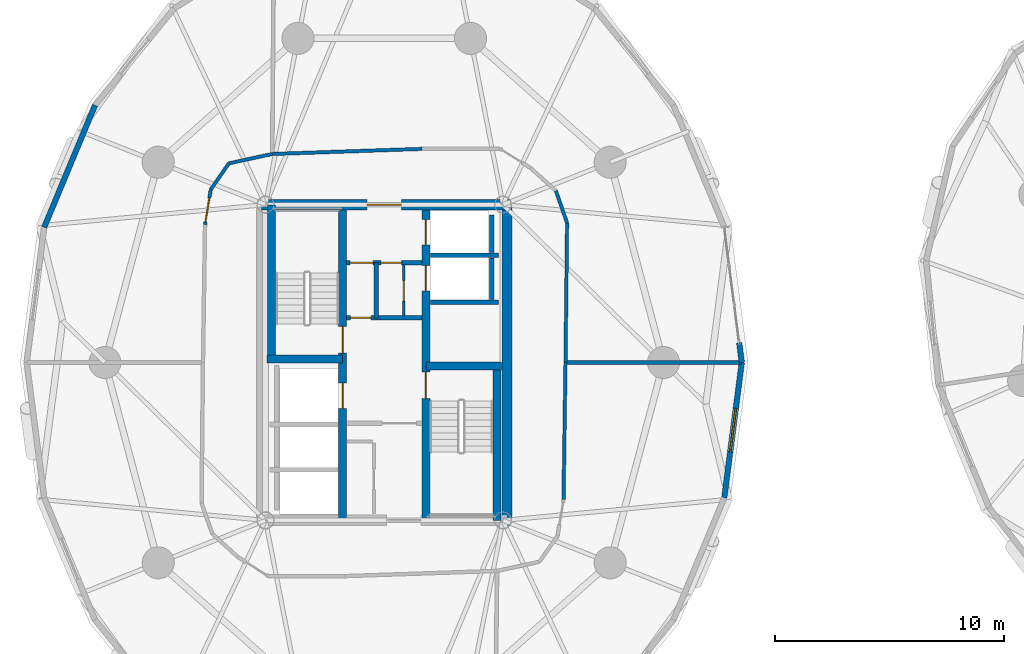
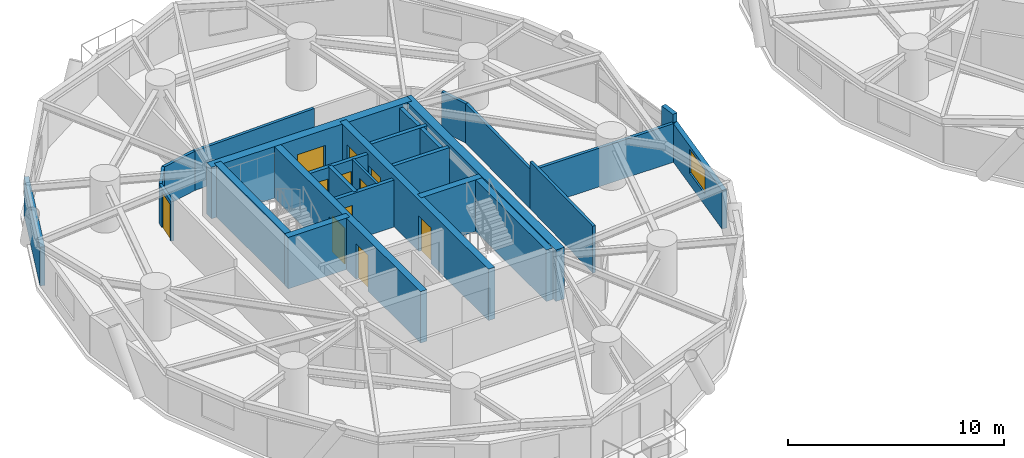
# One storey, part 10 of 17: 27 walls, 11 doors, 1 window, 12 openings.
"""IFC4 building model written with IfcOpenShell, lengths in metres."""

from ifc_helpers import new_model, si_unit, direction, frame, frame_2d, origin, place, context, subcontext, project, spatial, rectangle, extrude, source, transform, mapped, material, layer, layer_set, type_object, element, fill, save


model = new_model("IFC4")

# Units and contexts
model_context = context("Model", 3, precision=1e-05, world=origin(), true_north=direction((0.0, 1.0)))
body_context = subcontext(model_context, "Body", "Model", "MODEL_VIEW")
ifc_project = project(units=[si_unit("LENGTHUNIT", "METRE"), si_unit("AREAUNIT", "SQUARE_METRE"), si_unit("VOLUMEUNIT", "CUBIC_METRE"), si_unit("PLANEANGLEUNIT", "RADIAN"), si_unit("MASSUNIT", "GRAM", prefix="KILO")], contexts=[model_context])

# Site, building, storey
site_placement = place(None, origin())
site = spatial("IfcSite", under=ifc_project, at=site_placement, CompositionType="ELEMENT")
building_placement = place(site_placement, origin())
building = spatial("IfcBuilding", under=site, at=building_placement, Name="Cununo Teusaquillo Station Towers", CompositionType="ELEMENT")
storey_placement = place(building_placement, frame((0.0, 0.0, 70.14990234375)))
storey = spatial("IfcBuildingStorey", under=building, at=storey_placement, Name="L21", CompositionType="ELEMENT", Elevation=70.14990234375)

# Walls
ifc_material_1 = material(Name="Concrete C50/60", Category="concrete")
ifc_layer_1 = layer(ifc_material_1, 0.199951171875)
ifc_layer_set_1 = layer_set([ifc_layer_1], Name="Concrete C50/60")
wall_type_1 = type_object("IfcWallType", Name="WL-CORE-200", PredefinedType="SHEAR", material=ifc_layer_set_1)
for number, where, z_axis, x_axis, name in (
    (1, (18.510009765625, 27.1298828125, 0.0), (0.0, 0.0, 1.0), (1.0, 0.0, 0.0), "L21 Tower A Low-Rise Lift Hoistway South Shear Wall"),
    (2, (18.510009765625, 29.175048828125, 0.0), (0.0, 0.0, 1.0), (1.0, 0.0, 0.0), "L21 Tower A Low-Rise Lift Hoistway Divider Shear Wall"),
):
    element("IfcWall", number, at=place(storey_placement, frame(where, z_axis=z_axis, x_axis=x_axis)), inside=storey, type_object=wall_type_1, Name=name, PredefinedType="SHEAR", context=body_context, shape_type="SweptSolid", body=[
        extrude(rectangle(XDim=2.969970703125, YDim=0.199951171875, at=frame_2d((1.48486328125, 0.0))), origin(), (0.0, 0.0, 1.0), 2.91015625),
    ])
wall_1_placement = place(storey_placement, frame((21.179931640625, 27.25, 0.0), z_axis=(0.0, 0.0, 1.0), x_axis=(0.0, 1.0, 0.0)))
element("IfcWall", 3, at=wall_1_placement, inside=storey, type_object=wall_type_1, Name="L21 Tower A Low-Rise Lift 1 Shaft Rear Shear Wall", PredefinedType="SHEAR", context=body_context, shape_type="SweptSolid", body=[
    extrude(rectangle(XDim=1.804931640625, YDim=0.199951171875, at=frame_2d((0.90234375, 0.0))), origin(), (0.0, 0.0, 1.0), 2.91015625),
])
wall_2_placement = place(storey_placement, frame((21.179931640625, 29.294921875, 0.0), z_axis=(0.0, 0.0, 1.0), x_axis=(0.0, 1.0, 0.0)))
element("IfcWall", 4, at=wall_2_placement, inside=storey, type_object=wall_type_1, Name="L21 Tower A Low-Rise Lift 2 Shaft Rear Shear Wall", PredefinedType="SHEAR", context=body_context, shape_type="SweptSolid", body=[
    extrude(rectangle(XDim=1.635009765625, YDim=0.199951171875, at=frame_2d((0.8173828125, 0.0))), origin(), (0.0, 0.0, 1.0), 2.91015625),
])

# Wall, openings, doors
ifc_material_2 = material(Name="Concrete C50/60", Category="concrete")
ifc_layer_2 = layer(ifc_material_2, 0.35009765625)
ifc_layer_set_2 = layer_set([ifc_layer_2], Name="Concrete C50/60")
wall_type_2 = type_object("IfcWallType", Name="WL-CORE-350", PredefinedType="SHEAR", material=ifc_layer_set_2)
wall_3_placement = place(storey_placement, frame((14.68505859375, 17.625, 0.0), z_axis=(0.0, 0.0, 1.0), x_axis=(0.0, 1.0, 0.0)))
wall_3 = element("IfcWall", 5, at=wall_3_placement, inside=storey, type_object=wall_type_2, Name="L21 Tower A Core Shear Wall IW", PredefinedType="SHEAR", context=body_context, shape_type="SweptSolid", body=[
    extrude(rectangle(XDim=13.75, YDim=0.35009765625, at=frame_2d((6.875, 0.0))), origin(), (0.0, 0.0, 1.0), 2.91015625),
])
shared_shape_1 = source(origin(), body_context, "Body", "SweptSolid", [
    extrude(rectangle(XDim=1.10009765625, YDim=2.014892578125, at=frame_2d((0.550048828125, 1.00732421875))), frame((0.0, 0.18505859375, 0.0), z_axis=(0.0, -1.0, 0.0), x_axis=(1.0, 0.0, 0.0)), (0.0, 0.0, 1.0), 0.3701171875),
])
opening_1_placement = place(wall_3_placement, frame((4.875, 0.0, 0.0)))
opening_1 = element("IfcOpeningElement", 6, at=opening_1_placement, cuts=wall_3, Name="Opening LD-01", PredefinedType="OPENING", context=body_context, shape_type="MappedRepresentation", body=[
    mapped(shared_shape_1, transform((0.0, 0.0, 0.0), x_axis=(1.0, 0.0, 0.0), y_axis=(0.0, 1.0, 0.0), z_axis=(0.0, 0.0, 1.0), scale=1.0)),
])
shared_shape_2 = source(origin(), body_context, "Body", "SweptSolid", [
    extrude(rectangle(XDim=1.14990234375, YDim=2.02001953125, at=frame_2d((0.574951171875, 1.010009765625))), frame((0.0, 0.18505859375, 0.0), z_axis=(0.0, -1.0, 0.0), x_axis=(1.0, 0.0, 0.0)), (0.0, 0.0, 1.0), 0.3701171875),
])
opening_2_placement = place(wall_3_placement, frame((7.294921875, 0.0, 0.0)))
opening_2 = element("IfcOpeningElement", 7, at=opening_2_placement, cuts=wall_3, Name="Opening D-ST1", PredefinedType="OPENING", context=body_context, shape_type="MappedRepresentation", body=[
    mapped(shared_shape_2, transform((0.0, 0.0, 0.0), x_axis=(1.0, 0.0, 0.0), y_axis=(0.0, 1.0, 0.0), z_axis=(0.0, 0.0, 1.0), scale=1.0)),
])
ifc_material_3 = material(Name="Galvanised fire-rated hollow steel door assembly", Category="steel")
door_type_1 = type_object("IfcDoorType", Name="DR-LIFT-1100", OperationType="SLIDING_TO_LEFT", PredefinedType="DOOR", material=ifc_material_3)
shared_shape_3 = source(origin(), body_context, "Body", "SweptSolid", [
    extrude(rectangle(XDim=1.10009765625, YDim=2.014892578125, at=frame_2d((0.550048828125, 1.00732421875))), frame((0.0, 0.02490234375, 0.0), z_axis=(0.0, -1.0, 0.0), x_axis=(1.0, 0.0, 0.0)), (0.0, 0.0, 1.0), 0.050048828125),
])
door_1_placement = place(opening_1_placement, origin())
door_1 = element("IfcDoor", 8, at=door_1_placement, inside=storey, type_object=door_type_1, Name="L21 Lift FL-T1 Sliding Landing Door", OperationType="SLIDING_TO_RIGHT", OverallHeight=2.014892578125, OverallWidth=1.10009765625, PredefinedType="DOOR", context=body_context, shape_type="MappedRepresentation", body=[
    mapped(shared_shape_3, transform((0.0, 0.0, 0.0), x_axis=(1.0, 0.0, 0.0), y_axis=(0.0, 1.0, 0.0), z_axis=(0.0, 0.0, 1.0), scale=1.0)),
])
fill(opening_1, door_1)
ifc_material_4 = material(Name="Galvanised fire-rated hollow steel door assembly", Category="steel")
door_type_2 = type_object("IfcDoorType", Name="DR-STAIR-1150", OperationType="NOTDEFINED", PredefinedType="DOOR", material=ifc_material_4)
shared_shape_4 = source(origin(), body_context, "Body", "SweptSolid", [
    extrude(rectangle(XDim=1.14990234375, YDim=2.02001953125, at=frame_2d((0.574951171875, 1.010009765625))), frame((0.0, 0.02490234375, 0.0), z_axis=(0.0, -1.0, 0.0), x_axis=(1.0, 0.0, 0.0)), (0.0, 0.0, 1.0), 0.050048828125),
])
door_2_placement = place(opening_2_placement, origin())
door_2 = element("IfcDoor", 9, at=door_2_placement, inside=storey, type_object=door_type_2, Name="L21 Tower A Exit Stair 1 Fire Door", OperationType="SINGLE_SWING_LEFT", OverallHeight=2.02001953125, OverallWidth=1.14990234375, PredefinedType="DOOR", context=body_context, shape_type="MappedRepresentation", body=[
    mapped(shared_shape_4, transform((0.0, 0.0, 0.0), x_axis=(1.0, 0.0, 0.0), y_axis=(0.0, 1.0, 0.0), z_axis=(0.0, 0.0, 1.0), scale=1.0)),
])
fill(opening_2, door_2)

wall_4_placement = place(storey_placement, frame((18.31494140625, 17.625, 0.0), z_axis=(0.0, 0.0, 1.0), x_axis=(0.0, 1.0, 0.0)))
wall_4 = element("IfcWall", 10, at=wall_4_placement, inside=storey, type_object=wall_type_2, Name="L21 Tower A Core Shear Wall IE", PredefinedType="SHEAR", context=body_context, shape_type="SweptSolid", body=[
    extrude(rectangle(XDim=13.75, YDim=0.35009765625, at=frame_2d((6.875, 0.0))), origin(), (0.0, 0.0, 1.0), 2.91015625),
])
opening_3_placement = place(wall_4_placement, frame((10.0, 0.0, 0.0)))
opening_3 = element("IfcOpeningElement", 11, at=opening_3_placement, cuts=wall_4, Name="Opening LD-01", PredefinedType="OPENING", context=body_context, shape_type="MappedRepresentation", body=[
    mapped(shared_shape_1, transform((0.0, 0.0, 0.0), x_axis=(1.0, 0.0, 0.0), y_axis=(0.0, 1.0, 0.0), z_axis=(0.0, 0.0, 1.0), scale=1.0)),
])
opening_4_placement = place(wall_4_placement, frame((12.0, 0.0, 0.0)))
opening_4 = element("IfcOpeningElement", 12, at=opening_4_placement, cuts=wall_4, Name="Opening LD-01", PredefinedType="OPENING", context=body_context, shape_type="MappedRepresentation", body=[
    mapped(shared_shape_1, transform((0.0, 0.0, 0.0), x_axis=(1.0, 0.0, 0.0), y_axis=(0.0, 1.0, 0.0), z_axis=(0.0, 0.0, 1.0), scale=1.0)),
])
opening_5_placement = place(wall_4_placement, frame((5.304931640625, 0.0, 0.0)))
opening_5 = element("IfcOpeningElement", 13, at=opening_5_placement, cuts=wall_4, Name="Opening D-ST1", PredefinedType="OPENING", context=body_context, shape_type="MappedRepresentation", body=[
    mapped(shared_shape_2, transform((0.0, 0.0, 0.0), x_axis=(1.0, 0.0, 0.0), y_axis=(0.0, 1.0, 0.0), z_axis=(0.0, 0.0, 1.0), scale=1.0)),
])
door_3_placement = place(opening_3_placement, origin())
door_3 = element("IfcDoor", 14, at=door_3_placement, inside=storey, type_object=door_type_1, Name="L21 Lift PL-T1-L1 Sliding Landing Door", OperationType="SLIDING_TO_RIGHT", OverallHeight=2.014892578125, OverallWidth=1.10009765625, PredefinedType="DOOR", context=body_context, shape_type="MappedRepresentation", body=[
    mapped(shared_shape_3, transform((0.0, 0.0, 0.0), x_axis=(1.0, 0.0, 0.0), y_axis=(0.0, 1.0, 0.0), z_axis=(0.0, 0.0, 1.0), scale=1.0)),
])
fill(opening_3, door_3)
door_4_placement = place(opening_4_placement, origin())
door_4 = element("IfcDoor", 15, at=door_4_placement, inside=storey, type_object=door_type_1, Name="L21 Lift PL-T1-L2 Sliding Landing Door", OperationType="SLIDING_TO_LEFT", OverallHeight=2.014892578125, OverallWidth=1.10009765625, PredefinedType="DOOR", context=body_context, shape_type="MappedRepresentation", body=[
    mapped(shared_shape_3, transform((0.0, 0.0, 0.0), x_axis=(1.0, 0.0, 0.0), y_axis=(0.0, 1.0, 0.0), z_axis=(0.0, 0.0, 1.0), scale=1.0)),
])
fill(opening_4, door_4)
door_5_placement = place(opening_5_placement, origin())
door_5 = element("IfcDoor", 16, at=door_5_placement, inside=storey, type_object=door_type_2, Name="L21 Tower A Exit Stair 2 Fire Door", OperationType="SINGLE_SWING_RIGHT", OverallHeight=2.02001953125, OverallWidth=1.14990234375, PredefinedType="DOOR", context=body_context, shape_type="MappedRepresentation", body=[
    mapped(shared_shape_4, transform((0.0, 0.0, 0.0), x_axis=(1.0, 0.0, 0.0), y_axis=(0.0, 1.0, 0.0), z_axis=(0.0, 0.0, 1.0), scale=1.0)),
])
fill(opening_5, door_5)

# Walls
wall_5_placement = place(storey_placement, frame((11.594970703125, 24.655029296875, 0.0), z_axis=(0.0, 0.0, 1.0), x_axis=(0.0, 1.0, 0.0)))
element("IfcWall", 17, at=wall_5_placement, inside=storey, type_object=wall_type_2, Name="L21 Tower A Core Shear Wall ST1W", PredefinedType="SHEAR", context=body_context, shape_type="SweptSolid", body=[
    extrude(rectangle(XDim=6.719970703125, YDim=0.35009765625, at=frame_2d((3.35986328125, 0.0))), origin(), (0.0, 0.0, 1.0), 2.91015625),
])
wall_6_placement = place(storey_placement, frame((11.39990234375, 24.655029296875, 0.0), z_axis=(0.0, 0.0, 1.0), x_axis=(1.0, 0.0, 0.0)))
element("IfcWall", 18, at=wall_6_placement, inside=storey, type_object=wall_type_2, Name="L21 Tower A Core Shear Wall ST1S", PredefinedType="SHEAR", context=body_context, shape_type="SweptSolid", body=[
    extrude(rectangle(XDim=3.28515625, YDim=0.35009765625, at=frame_2d((1.642578125, 0.0))), origin(), (0.0, 0.0, 1.0), 2.91015625),
])
wall_7_placement = place(storey_placement, frame((21.405029296875, 17.625, 0.0), z_axis=(0.0, 0.0, 1.0), x_axis=(0.0, 1.0, 0.0)))
element("IfcWall", 19, at=wall_7_placement, inside=storey, type_object=wall_type_2, Name="L21 Tower A Core Shear Wall ST2E", PredefinedType="SHEAR", context=body_context, shape_type="SweptSolid", body=[
    extrude(rectangle(XDim=6.719970703125, YDim=0.35009765625, at=frame_2d((3.35986328125, 0.0))), origin(), (0.0, 0.0, 1.0), 2.91015625),
])
wall_8_placement = place(storey_placement, frame((18.31494140625, 24.344970703125, 0.0), z_axis=(0.0, 0.0, 1.0), x_axis=(1.0, 0.0, 0.0)))
element("IfcWall", 20, at=wall_8_placement, inside=storey, type_object=wall_type_2, Name="L21 Tower A Core Shear Wall ST2N", PredefinedType="SHEAR", context=body_context, shape_type="SweptSolid", body=[
    extrude(rectangle(XDim=3.28515625, YDim=0.35009765625, at=frame_2d((1.642578125, 0.0))), origin(), (0.0, 0.0, 1.0), 2.91015625),
])
ifc_material_5 = material(Name="Concrete C60/75", Category="concrete")
ifc_layer_3 = layer(ifc_material_5, 0.449951171875)
ifc_layer_set_3 = layer_set([ifc_layer_3], Name="Concrete C60/75")
wall_type_3 = type_object("IfcWallType", Name="WL-CORE-450", PredefinedType="SHEAR", material=ifc_layer_set_3)
wall_9_placement = place(storey_placement, frame((21.85009765625, 17.39990234375, 0.0), z_axis=(0.0, 0.0, 1.0), x_axis=(0.0, 1.0, 0.0)))
element("IfcWall", 21, at=wall_9_placement, inside=storey, type_object=wall_type_3, Name="L21 Tower A Core Shear Wall E", PredefinedType="SHEAR", context=body_context, shape_type="SweptSolid", body=[
    extrude(rectangle(XDim=14.2001953125, YDim=0.449951171875, at=frame_2d((7.10009765625, 0.0))), origin(), (0.0, 0.0, 1.0), 2.91015625),
])

# Wall, opening, door
wall_10_placement = place(storey_placement, frame((11.14990234375, 31.375, 0.0), z_axis=(0.0, 0.0, 1.0), x_axis=(1.0, 0.0, 0.0)))
wall_10 = element("IfcWall", 22, at=wall_10_placement, inside=storey, type_object=wall_type_3, Name="L21 Tower A Core Shear Wall N", PredefinedType="SHEAR", context=body_context, shape_type="SweptSolid", body=[
    extrude(rectangle(XDim=10.7001953125, YDim=0.449951171875, at=frame_2d((5.35009765625, 0.0))), origin(), (0.0, 0.0, 1.0), 2.91015625),
])
shared_shape_5 = source(origin(), body_context, "Body", "SweptSolid", [
    extrude(rectangle(XDim=1.5, YDim=2.02001953125, at=frame_2d((0.75, 1.010009765625))), frame((0.0, 0.23486328125, 0.0), z_axis=(0.0, -1.0, 0.0), x_axis=(1.0, 0.0, 0.0)), (0.0, 0.0, 1.0), 0.469970703125),
])
opening_6_placement = place(wall_10_placement, frame((4.60009765625, 0.0, 0.0)))
opening_6 = element("IfcOpeningElement", 23, at=opening_6_placement, cuts=wall_10, Name="Opening D-LB1", PredefinedType="OPENING", context=body_context, shape_type="MappedRepresentation", body=[
    mapped(shared_shape_5, transform((0.0, 0.0, 0.0), x_axis=(1.0, 0.0, 0.0), y_axis=(0.0, 1.0, 0.0), z_axis=(0.0, 0.0, 1.0), scale=1.0)),
])
ifc_material_6 = material(Name="Galvanised fire-rated hollow steel door assembly", Category="steel")
door_type_3 = type_object("IfcDoorType", Name="DR-LOBBY-1500", OperationType="DOUBLE_DOOR_SINGLE_SWING", PredefinedType="DOOR", material=ifc_material_6)
shared_shape_6 = source(origin(), body_context, "Body", "SweptSolid", [
    extrude(rectangle(XDim=1.5, YDim=2.02001953125, at=frame_2d((0.75, 1.010009765625))), frame((0.0, 0.02490234375, 0.0), z_axis=(0.0, -1.0, 0.0), x_axis=(1.0, 0.0, 0.0)), (0.0, 0.0, 1.0), 0.050048828125),
])
door_6_placement = place(opening_6_placement, origin())
door_6 = element("IfcDoor", 24, at=door_6_placement, inside=storey, type_object=door_type_3, Name="L21 Tower A North Core Lift Lobby Door", OperationType="DOUBLE_DOOR_SINGLE_SWING", OverallHeight=2.02001953125, OverallWidth=1.5, PredefinedType="DOOR", context=body_context, shape_type="MappedRepresentation", body=[
    mapped(shared_shape_6, transform((0.0, 0.0, 0.0), x_axis=(1.0, 0.0, 0.0), y_axis=(0.0, 1.0, 0.0), z_axis=(0.0, 0.0, 1.0), scale=1.0)),
])
fill(opening_6, door_6)

# Walls
ifc_material_7 = material(Name="Precast concrete C40/50", Category="concrete")
ifc_layer_4 = layer(ifc_material_7, 0.239990234375)
ifc_layer_set_4 = layer_set([ifc_layer_4], Name="Precast concrete C40/50")
wall_type_4 = type_object("IfcWallType", Name="WL-EXT-240", PredefinedType="SOLIDWALL", material=ifc_layer_set_4)
wall_11_placement = place(storey_placement, frame((31.96923828125, 25.36279296875, 0.0), z_axis=(0.0, 0.0, 1.0), x_axis=(0.128523364007, -0.991706481225, 0.0)))
element("IfcWall", 25, at=wall_11_placement, inside=storey, type_object=wall_type_4, Name="L21 Tower A Column Pier Cladding Wall C00-PB", PredefinedType="SOLIDWALL", context=body_context, shape_type="SweptSolid", body=[
    extrude(rectangle(XDim=0.8701171875, YDim=0.239990234375, at=frame_2d((0.43505859375, 0.0))), origin(), (0.0, 0.0, 1.0), 2.655029296875),
])
wall_12_placement = place(storey_placement, frame((1.681640625, 30.39306640625, 0.0), z_axis=(0.0, 0.0, 1.0), x_axis=(0.384344417632, 0.923189779317, 0.0)))
element("IfcWall", 26, at=wall_12_placement, inside=storey, type_object=wall_type_4, Name="L21 Tower A Exterior Facade Wall C08", PredefinedType="SOLIDWALL", context=body_context, shape_type="SweptSolid", body=[
    extrude(rectangle(XDim=5.75830078125, YDim=0.239990234375, at=frame_2d((2.879150390625, 0.0))), origin(), (0.0, 0.0, 1.0), 2.17919921875),
])

# Wall, opening, window
wall_13_placement = place(storey_placement, frame((32.0810546875, 24.5, 0.0), z_axis=(0.0, 0.0, 1.0), x_axis=(-0.128351991996, -0.991728675672, 0.0)))
wall_13 = element("IfcWall", 27, at=wall_13_placement, inside=storey, type_object=wall_type_4, Name="L21 Tower A Exterior Facade Wall C19", PredefinedType="SOLIDWALL", context=body_context, shape_type="SweptSolid", body=[
    extrude(rectangle(XDim=5.942138671875, YDim=0.239990234375, at=frame_2d((2.97119140625, 0.0))), origin(), (0.0, 0.0, 1.0), 2.17919921875),
])
shared_shape_7 = source(origin(), body_context, "Body", "SweptSolid", [
    extrude(rectangle(XDim=1.89990234375, YDim=1.35009765625, at=frame_2d((0.949951171875, 0.675048828125))), frame((0.0, 0.1298828125, 0.0), z_axis=(0.0, -1.0, 0.0), x_axis=(1.0, 0.0, 0.0)), (0.0, 0.0, 1.0), 0.260009765625),
])
opening_7_placement = place(wall_13_placement, frame((2.02099609375, 0.0, 0.64990234375)))
opening_7 = element("IfcOpeningElement", 28, at=opening_7_placement, cuts=wall_13, Name="Opening WN-02", PredefinedType="OPENING", context=body_context, shape_type="MappedRepresentation", body=[
    mapped(shared_shape_7, transform((0.0, 0.0, 0.0), x_axis=(1.0, 0.0, 0.0), y_axis=(0.0, 1.0, 0.0), z_axis=(0.0, 0.0, 1.0), scale=1.0)),
])
ifc_material_8 = material(Name="Operable acoustic tinted low-E double glazing", Category="glass")
window_type = type_object("IfcWindowType", Name="WIN-OPER-1900", PartitioningType="DOUBLE_PANEL_VERTICAL", PredefinedType="WINDOW", material=ifc_material_8)
shared_shape_8 = source(origin(), body_context, "Body", "SweptSolid", [
    extrude(rectangle(XDim=1.89990234375, YDim=1.35009765625, at=frame_2d((0.949951171875, 0.675048828125))), frame((0.0, 0.030029296875, 0.0), z_axis=(0.0, -1.0, 0.0), x_axis=(1.0, 0.0, 0.0)), (0.0, 0.0, 1.0), 0.06005859375),
])
window_placement = place(opening_7_placement, origin())
window = element("IfcWindow", 29, at=window_placement, inside=storey, type_object=window_type, Name="L21 Tower A Facade Window C19", OverallHeight=1.35009765625, OverallWidth=1.89990234375, PartitioningType="DOUBLE_PANEL_VERTICAL", PredefinedType="WINDOW", context=body_context, shape_type="MappedRepresentation", body=[
    mapped(shared_shape_8, transform((0.0, 0.0, 0.0), x_axis=(1.0, 0.0, 0.0), y_axis=(0.0, 1.0, 0.0), z_axis=(0.0, 0.0, 1.0), scale=1.0)),
])
fill(opening_7, window)

# Wall, opening, door
ifc_material_9 = material(Name="Fire-rated gypsum plasterboard partition assembly", Category="gypsum")
ifc_layer_5 = layer(ifc_material_9, 0.125)
ifc_layer_set_5 = layer_set([ifc_layer_5], Name="Fire-rated gypsum plasterboard partition assembly")
wall_type_5 = type_object("IfcWallType", Name="WL-PART-125", PredefinedType="PARTITIONING", material=ifc_layer_set_5)
wall_14_placement = place(storey_placement, frame((17.35009765625, 26.52001953125, 0.0), z_axis=(0.0, 0.0, 1.0), x_axis=(0.0, 1.0, 0.0)))
wall_14 = element("IfcWall", 30, at=wall_14_placement, inside=storey, type_object=wall_type_5, Name="L21 Tower A Core Vertical Split Wall", PredefinedType="PARTITIONING", context=body_context, shape_type="SweptSolid", body=[
    extrude(rectangle(XDim=2.260009765625, YDim=0.125, at=frame_2d((1.1298828125, 0.0))), origin(), (0.0, 0.0, 1.0), 2.655029296875),
])
shared_shape_9 = source(origin(), body_context, "Body", "SweptSolid", [
    extrude(rectangle(XDim=0.89990234375, YDim=2.0048828125, at=frame_2d((0.449951171875, 1.00244140625))), frame((0.0, 0.072509765625, 0.0), z_axis=(0.0, -1.0, 0.0), x_axis=(1.0, 0.0, 0.0)), (0.0, 0.0, 1.0), 0.14501953125),
])
opening_8_placement = place(wall_14_placement, frame((0.64990234375, 0.0, 0.0)))
opening_8 = element("IfcOpeningElement", 31, at=opening_8_placement, cuts=wall_14, Name="Opening D-SR1", PredefinedType="OPENING", context=body_context, shape_type="MappedRepresentation", body=[
    mapped(shared_shape_9, transform((0.0, 0.0, 0.0), x_axis=(1.0, 0.0, 0.0), y_axis=(0.0, 1.0, 0.0), z_axis=(0.0, 0.0, 1.0), scale=1.0)),
])
ifc_material_10 = material(Name="Galvanised fire-rated hollow steel door assembly", Category="steel")
door_type_4 = type_object("IfcDoorType", Name="DR-STORE-900", OperationType="NOTDEFINED", PredefinedType="DOOR", material=ifc_material_10)
shared_shape_10 = source(origin(), body_context, "Body", "SweptSolid", [
    extrude(rectangle(XDim=0.89990234375, YDim=2.0048828125, at=frame_2d((0.449951171875, 1.00244140625))), frame((0.0, 0.02490234375, 0.0), z_axis=(0.0, -1.0, 0.0), x_axis=(1.0, 0.0, 0.0)), (0.0, 0.0, 1.0), 0.050048828125),
])
door_7_placement = place(opening_8_placement, origin())
door_7 = element("IfcDoor", 32, at=door_7_placement, inside=storey, type_object=door_type_4, Name="L21 Tower A Core Electrical Room Door", OperationType="SINGLE_SWING_LEFT", OverallHeight=2.0048828125, OverallWidth=0.89990234375, PredefinedType="DOOR", context=body_context, shape_type="MappedRepresentation", body=[
    mapped(shared_shape_10, transform((0.0, 0.0, 0.0), x_axis=(1.0, 0.0, 0.0), y_axis=(0.0, 1.0, 0.0), z_axis=(0.0, 0.0, 1.0), scale=1.0)),
])
fill(opening_8, door_7)

# Walls
ifc_material_11 = material(Name="Fire-rated gypsum plasterboard partition assembly", Category="gypsum")
ifc_layer_6 = layer(ifc_material_11, 0.14990234375)
ifc_layer_set_6 = layer_set([ifc_layer_6], Name="Fire-rated gypsum plasterboard partition assembly")
wall_type_6 = type_object("IfcWallType", Name="WL-PART-150", PredefinedType="PARTITIONING", material=ifc_layer_set_6)
wall_15_placement = place(storey_placement, frame((24.39990234375, 24.5, 0.0), z_axis=(0.0, 0.0, 1.0), x_axis=(0.011359710161, 0.999935476411, 0.0)))
element("IfcWall", 33, at=wall_15_placement, inside=storey, type_object=wall_type_6, Name="L21 Tower A Corridor Ring Wall C00", PredefinedType="PARTITIONING", context=body_context, shape_type="SweptSolid", body=[
    extrude(rectangle(XDim=6.082275390625, YDim=0.14990234375, at=frame_2d((3.041015625, 0.0))), origin(), (0.0, 0.0, 1.0), 2.22509765625),
])
wall_16_placement = place(storey_placement, frame((24.468994140625, 30.581787109375, 0.0), z_axis=(0.0, 0.0, 1.0), x_axis=(-0.328902536986, 0.944363871166, 0.0)))
element("IfcWall", 34, at=wall_16_placement, inside=storey, type_object=wall_type_6, Name="L21 Tower A Corridor Ring Wall C01", PredefinedType="PARTITIONING", context=body_context, shape_type="SweptSolid", body=[
    extrude(rectangle(XDim=1.487548828125, YDim=0.14990234375, at=frame_2d((0.74365234375, 0.0))), origin(), (0.0, 0.0, 1.0), 2.22509765625),
])
wall_17_placement = place(storey_placement, frame((18.142822265625, 33.8095703125, 0.0), z_axis=(0.0, 0.0, 1.0), x_axis=(-0.999423023908, -0.033964971394, 0.0)))
element("IfcWall", 35, at=wall_17_placement, inside=storey, type_object=wall_type_6, Name="L21 Tower A Corridor Ring Wall C05", PredefinedType="PARTITIONING", context=body_context, shape_type="SweptSolid", body=[
    extrude(rectangle(XDim=6.526611328125, YDim=0.14990234375, at=frame_2d((3.26318359375, 0.0))), origin(), (0.0, 0.0, 1.0), 2.22509765625),
])
wall_18_placement = place(storey_placement, frame((11.619873046875, 33.587890625, 0.0), z_axis=(0.0, 0.0, 1.0), x_axis=(-0.977392314559, -0.211433827571, 0.0)))
element("IfcWall", 36, at=wall_18_placement, inside=storey, type_object=wall_type_6, Name="L21 Tower A Corridor Ring Wall C06", PredefinedType="PARTITIONING", context=body_context, shape_type="SweptSolid", body=[
    extrude(rectangle(XDim=1.93408203125, YDim=0.14990234375, at=frame_2d((0.967041015625, 0.0))), origin(), (0.0, 0.0, 1.0), 2.22509765625),
])
wall_19_placement = place(storey_placement, frame((9.7294921875, 33.178955078125, 0.0), z_axis=(0.0, 0.0, 1.0), x_axis=(-0.569155068352, -0.822230203878, 0.0)))
element("IfcWall", 37, at=wall_19_placement, inside=storey, type_object=wall_type_6, Name="L21 Tower A Corridor Ring Wall C07", PredefinedType="PARTITIONING", context=body_context, shape_type="SweptSolid", body=[
    extrude(rectangle(XDim=1.38720703125, YDim=0.14990234375, at=frame_2d((0.693603515625, 0.0))), origin(), (0.0, 0.0, 1.0), 2.22509765625),
])

# Wall, opening, door
wall_20_placement = place(storey_placement, frame((8.93994140625, 32.038330078125, 0.0), z_axis=(0.0, 0.0, 1.0), x_axis=(-0.159917336462, -0.987130409571, 0.0)))
wall_20 = element("IfcWall", 38, at=wall_20_placement, inside=storey, type_object=wall_type_6, Name="L21 Tower A Corridor Ring Wall C08", PredefinedType="PARTITIONING", context=body_context, shape_type="SweptSolid", body=[
    extrude(rectangle(XDim=1.546630859375, YDim=0.14990234375, at=frame_2d((0.7734375, 0.0))), origin(), (0.0, 0.0, 1.0), 2.22509765625),
])
shared_shape_11 = source(origin(), body_context, "Body", "SweptSolid", [
    extrude(rectangle(XDim=1.050048828125, YDim=2.014892578125, at=frame_2d((0.52490234375, 1.00732421875))), frame((0.0, 0.0849609375, 0.0), z_axis=(0.0, -1.0, 0.0), x_axis=(1.0, 0.0, 0.0)), (0.0, 0.0, 1.0), 0.169921875),
])
opening_9_placement = place(wall_20_placement, frame((0.376708984375, 0.0, 0.0)))
opening_9 = element("IfcOpeningElement", 39, at=opening_9_placement, cuts=wall_20, Name="Opening D-SU1", PredefinedType="OPENING", context=body_context, shape_type="MappedRepresentation", body=[
    mapped(shared_shape_11, transform((0.0, 0.0, 0.0), x_axis=(1.0, 0.0, 0.0), y_axis=(0.0, 1.0, 0.0), z_axis=(0.0, 0.0, 1.0), scale=1.0)),
])
ifc_material_12 = material(Name="Acoustic solid-core hardwood leaf assembly", Category="wood")
door_type_5 = type_object("IfcDoorType", Name="DR-SUITE-1050", OperationType="NOTDEFINED", PredefinedType="DOOR", material=ifc_material_12)
shared_shape_12 = source(origin(), body_context, "Body", "SweptSolid", [
    extrude(rectangle(XDim=1.050048828125, YDim=2.014892578125, at=frame_2d((0.52490234375, 1.00732421875))), frame((0.0, 0.02490234375, 0.0), z_axis=(0.0, -1.0, 0.0), x_axis=(1.0, 0.0, 0.0)), (0.0, 0.0, 1.0), 0.050048828125),
])
door_8_placement = place(opening_9_placement, origin())
door_8 = element("IfcDoor", 40, at=door_8_placement, inside=storey, type_object=door_type_5, Name="L21 Tower A West Project Collaboration Hub Entrance Door", OperationType="SINGLE_SWING_LEFT", OverallHeight=2.014892578125, OverallWidth=1.050048828125, PredefinedType="DOOR", context=body_context, shape_type="MappedRepresentation", body=[
    mapped(shared_shape_12, transform((0.0, 0.0, 0.0), x_axis=(1.0, 0.0, 0.0), y_axis=(0.0, 1.0, 0.0), z_axis=(0.0, 0.0, 1.0), scale=1.0)),
])
fill(opening_9, door_8)

# Walls
wall_21_placement = place(storey_placement, frame((24.3134765625, 18.52880859375, 0.0), z_axis=(0.0, 0.0, 1.0), x_axis=(0.014472275982, 0.99989527113, 0.0)))
element("IfcWall", 41, at=wall_21_placement, inside=storey, type_object=wall_type_6, Name="L21 Tower A Corridor Ring Wall C19", PredefinedType="PARTITIONING", context=body_context, shape_type="SweptSolid", body=[
    extrude(rectangle(XDim=5.971923828125, YDim=0.14990234375, at=frame_2d((2.98583984375, 0.0))), origin(), (0.0, 0.0, 1.0), 2.655029296875),
])
ifc_material_13 = material(Name="Fire-rated gypsum plasterboard partition assembly", Category="gypsum")
ifc_layer_7 = layer(ifc_material_13, 0.159912109375)
ifc_layer_set_7 = layer_set([ifc_layer_7], Name="Fire-rated gypsum plasterboard partition assembly")
wall_type_7 = type_object("IfcWallType", Name="WL-PART-160", PredefinedType="PARTITIONING", material=ifc_layer_set_7)
wall_22_placement = place(storey_placement, frame((24.39990234375, 24.5, 0.0), z_axis=(0.0, 0.0, 1.0), x_axis=(1.0, 0.0, 0.0)))
element("IfcWall", 42, at=wall_22_placement, inside=storey, type_object=wall_type_7, Name="L21 Tower A Radial Suite Partition R01", PredefinedType="PARTITIONING", context=body_context, shape_type="SweptSolid", body=[
    extrude(rectangle(XDim=7.6611328125, YDim=0.159912109375, at=frame_2d((3.83056640625, 0.0))), origin(), (0.0, 0.0, 1.0), 2.17919921875),
])

# Wall, opening, door
ifc_material_14 = material(Name="Fire-rated gypsum plasterboard partition assembly", Category="gypsum")
ifc_layer_8 = layer(ifc_material_14, 0.199951171875)
ifc_layer_set_8 = layer_set([ifc_layer_8], Name="Fire-rated gypsum plasterboard partition assembly")
wall_type_8 = type_object("IfcWallType", Name="WL-PART-200", PredefinedType="PARTITIONING", material=ifc_layer_set_8)
wall_23_placement = place(storey_placement, frame((14.860107421875, 26.449951171875, 0.0), z_axis=(0.0, 0.0, 1.0), x_axis=(1.0, 0.0, 0.0)))
wall_23 = element("IfcWall", 43, at=wall_23_placement, inside=storey, type_object=wall_type_8, Name="L21 Tower A Firefighting Lift Lobby North Fire Wall", PredefinedType="PARTITIONING", context=body_context, shape_type="SweptSolid", body=[
    extrude(rectangle(XDim=3.27978515625, YDim=0.199951171875, at=frame_2d((1.639892578125, 0.0))), origin(), (0.0, 0.0, 1.0), 2.655029296875),
])
shared_shape_13 = source(origin(), body_context, "Body", "SweptSolid", [
    extrude(rectangle(XDim=0.89990234375, YDim=2.0048828125, at=frame_2d((0.449951171875, 1.00244140625))), frame((0.0, 0.10986328125, 0.0), z_axis=(0.0, -1.0, 0.0), x_axis=(1.0, 0.0, 0.0)), (0.0, 0.0, 1.0), 0.219970703125),
])
opening_10_placement = place(wall_23_placement, frame((0.159912109375, 0.0, 0.0)))
opening_10 = element("IfcOpeningElement", 44, at=opening_10_placement, cuts=wall_23, Name="Opening D-SR1", PredefinedType="OPENING", context=body_context, shape_type="MappedRepresentation", body=[
    mapped(shared_shape_13, transform((0.0, 0.0, 0.0), x_axis=(1.0, 0.0, 0.0), y_axis=(0.0, 1.0, 0.0), z_axis=(0.0, 0.0, 1.0), scale=1.0)),
])
door_9_placement = place(opening_10_placement, origin())
door_9 = element("IfcDoor", 45, at=door_9_placement, inside=storey, type_object=door_type_4, Name="L21 Tower A Stair 1 Protected Vestibule South Door", OperationType="SINGLE_SWING_LEFT", OverallHeight=2.0048828125, OverallWidth=0.89990234375, PredefinedType="DOOR", context=body_context, shape_type="MappedRepresentation", body=[
    mapped(shared_shape_10, transform((0.0, 0.0, 0.0), x_axis=(1.0, 0.0, 0.0), y_axis=(0.0, 1.0, 0.0), z_axis=(0.0, 0.0, 1.0), scale=1.0)),
])
fill(opening_10, door_9)

# Wall
wall_24_placement = place(storey_placement, frame((16.14990234375, 26.449951171875, 0.0), z_axis=(0.0, 0.0, 1.0), x_axis=(0.0, 1.0, 0.0)))
element("IfcWall", 46, at=wall_24_placement, inside=storey, type_object=wall_type_8, Name="L21 Tower A Stair 1 Vestibule Partition Wall", PredefinedType="PARTITIONING", context=body_context, shape_type="SweptSolid", body=[
    extrude(rectangle(XDim=2.400146484375, YDim=0.199951171875, at=frame_2d((1.2001953125, 0.0))), origin(), (0.0, 0.0, 1.0), 2.655029296875),
])

# Wall, openings, doors
wall_25_placement = place(storey_placement, frame((14.860107421875, 28.85009765625, 0.0), z_axis=(0.0, 0.0, 1.0), x_axis=(1.0, 0.0, 0.0)))
wall_25 = element("IfcWall", 47, at=wall_25_placement, inside=storey, type_object=wall_type_8, Name="L21 Tower A North Lift Lobby South Fire Wall", PredefinedType="PARTITIONING", context=body_context, shape_type="SweptSolid", body=[
    extrude(rectangle(XDim=3.27978515625, YDim=0.199951171875, at=frame_2d((1.639892578125, 0.0))), origin(), (0.0, 0.0, 1.0), 2.655029296875),
])
shared_shape_14 = source(origin(), body_context, "Body", "SweptSolid", [
    extrude(rectangle(XDim=1.0, YDim=2.014892578125, at=frame_2d((0.5, 1.00732421875))), frame((0.0, 0.10986328125, 0.0), z_axis=(0.0, -1.0, 0.0), x_axis=(1.0, 0.0, 0.0)), (0.0, 0.0, 1.0), 0.219970703125),
])
opening_11_placement = place(wall_25_placement, frame((0.139892578125, 0.0, 0.0)))
opening_11 = element("IfcOpeningElement", 48, at=opening_11_placement, cuts=wall_25, Name="Opening D-AC1", PredefinedType="OPENING", context=body_context, shape_type="MappedRepresentation", body=[
    mapped(shared_shape_14, transform((0.0, 0.0, 0.0), x_axis=(1.0, 0.0, 0.0), y_axis=(0.0, 1.0, 0.0), z_axis=(0.0, 0.0, 1.0), scale=1.0)),
])
opening_12_placement = place(wall_25_placement, frame((1.5, 0.0, 0.0)))
opening_12 = element("IfcOpeningElement", 49, at=opening_12_placement, cuts=wall_25, Name="Opening D-SR1", PredefinedType="OPENING", context=body_context, shape_type="MappedRepresentation", body=[
    mapped(shared_shape_13, transform((0.0, 0.0, 0.0), x_axis=(1.0, 0.0, 0.0), y_axis=(0.0, 1.0, 0.0), z_axis=(0.0, 0.0, 1.0), scale=1.0)),
])
door_10_placement = place(opening_12_placement, origin())
door_10 = element("IfcDoor", 50, at=door_10_placement, inside=storey, type_object=door_type_4, Name="L21 Tower A Core Housekeeping Store Door", OperationType="SINGLE_SWING_RIGHT", OverallHeight=2.0048828125, OverallWidth=0.89990234375, PredefinedType="DOOR", context=body_context, shape_type="MappedRepresentation", body=[
    mapped(shared_shape_10, transform((0.0, 0.0, 0.0), x_axis=(1.0, 0.0, 0.0), y_axis=(0.0, 1.0, 0.0), z_axis=(0.0, 0.0, 1.0), scale=1.0)),
])
fill(opening_12, door_10)
ifc_material_15 = material(Name="Acoustic solid-core hardwood leaf assembly", Category="wood")
door_type_6 = type_object("IfcDoorType", Name="DR-ACC-1000", OperationType="NOTDEFINED", PredefinedType="DOOR", material=ifc_material_15)
shared_shape_15 = source(origin(), body_context, "Body", "SweptSolid", [
    extrude(rectangle(XDim=1.0, YDim=2.014892578125, at=frame_2d((0.5, 1.00732421875))), frame((0.0, 0.02490234375, 0.0), z_axis=(0.0, -1.0, 0.0), x_axis=(1.0, 0.0, 0.0)), (0.0, 0.0, 1.0), 0.050048828125),
])
door_11_placement = place(opening_11_placement, origin())
door_11 = element("IfcDoor", 51, at=door_11_placement, inside=storey, type_object=door_type_6, Name="L21 Tower A North Lift Lobby to Stair 1 Vestibule Door", OperationType="SINGLE_SWING_RIGHT", OverallHeight=2.014892578125, OverallWidth=1.0, PredefinedType="DOOR", context=body_context, shape_type="MappedRepresentation", body=[
    mapped(shared_shape_15, transform((0.0, 0.0, 0.0), x_axis=(1.0, 0.0, 0.0), y_axis=(0.0, 1.0, 0.0), z_axis=(0.0, 0.0, 1.0), scale=1.0)),
])
fill(opening_11, door_11)

save(model, "model.ifc")
